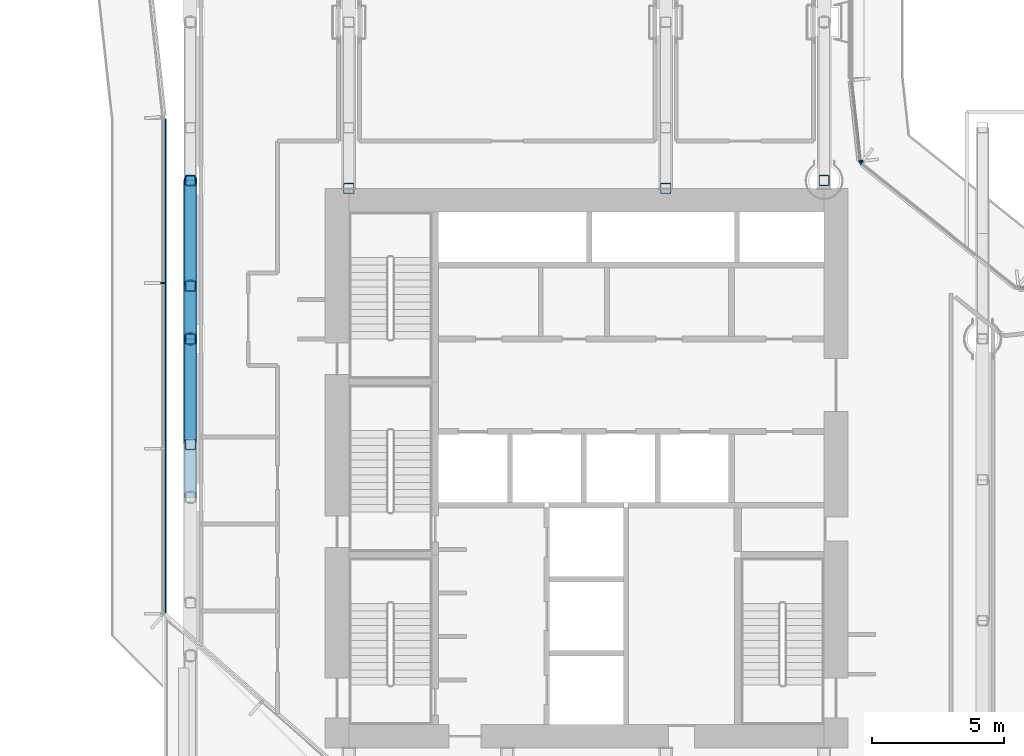
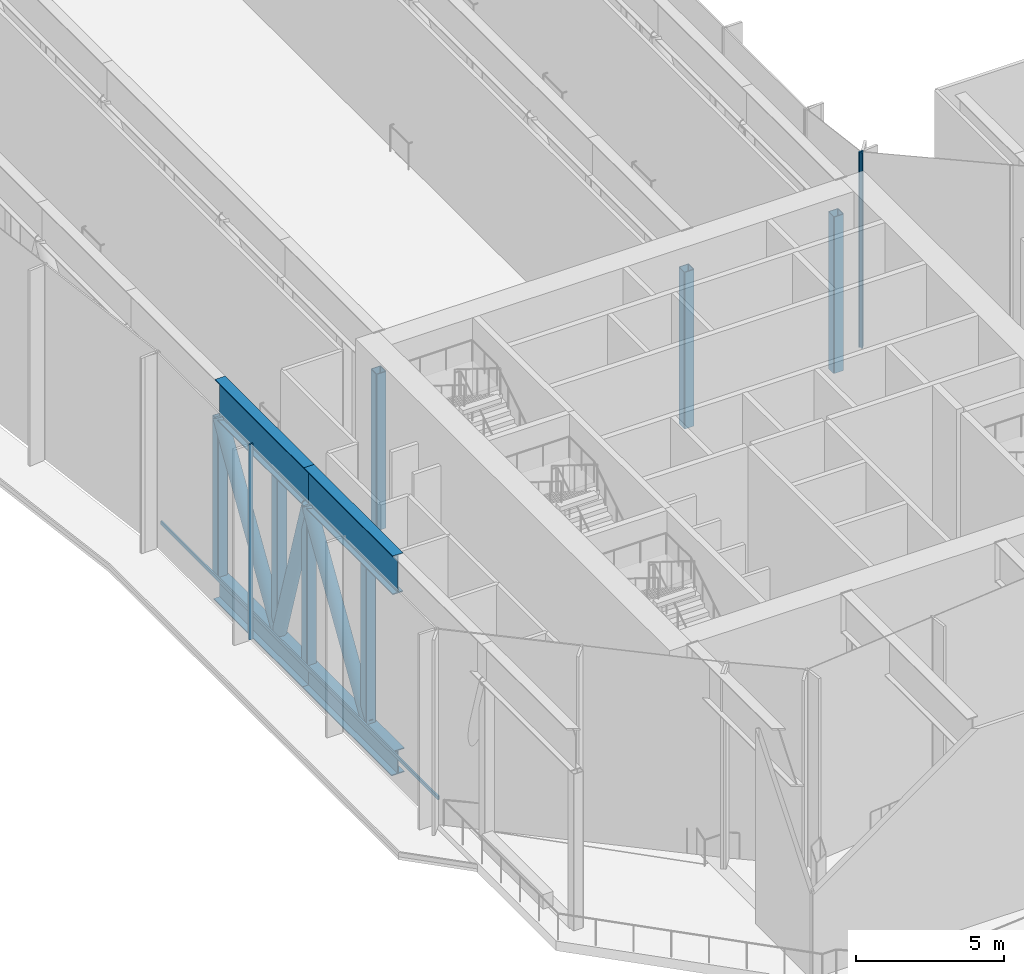
# One storey, part 2 of 25: 18 members, 3 elements without a shape of their own.
"""IFC4 building model written with IfcOpenShell, lengths in metres."""

from ifc_helpers import new_model, si_unit, direction, frame, origin, origin_2d, place, context, subcontext, project, spatial, rectangle, hollow_rectangle, hollow_circle, i_section, extrude, material, layer, layer_set, material_profile, profile_set, type_object, element, aggregate, save


model = new_model("IFC4")

# Units and contexts
model_context = context("Model", 3, precision=1e-05, world=origin(), true_north=direction((0.0, 1.0)))
body_context = subcontext(model_context, "Body", "Model", "MODEL_VIEW")
ifc_project = project(units=[si_unit("LENGTHUNIT", "METRE"), si_unit("AREAUNIT", "SQUARE_METRE"), si_unit("VOLUMEUNIT", "CUBIC_METRE"), si_unit("PLANEANGLEUNIT", "RADIAN"), si_unit("MASSUNIT", "GRAM", prefix="KILO")], contexts=[model_context])

# Site, building, storey
site_placement = place(None, origin())
site = spatial("IfcSite", under=ifc_project, at=site_placement, CompositionType="ELEMENT")
building_placement = place(site_placement, origin())
building = spatial("IfcBuilding", under=site, at=building_placement, Name="Welwitschia Terrace Campus", CompositionType="ELEMENT")
storey_placement = place(building_placement, frame((0.0, 0.0, 79.39990234375)))
storey = spatial("IfcBuildingStorey", under=building, at=storey_placement, Name="L18", CompositionType="ELEMENT", Elevation=79.39990234375)

# Curtain wall, member
ifc_material_1 = material(Name="Bronze anodised aluminium", Category="aluminium")
ifc_layer = layer(ifc_material_1, 0.159912109375)
ifc_layer_set = layer_set([ifc_layer], Name="Bronze anodised aluminium")
curtain_wall_type = type_object("IfcCurtainWallType", Name="Curtain wall CW3 commons 6000", PredefinedType="NOTDEFINED", material=ifc_layer_set)
curtain_wall_1_placement = place(storey_placement, origin())
curtain_wall_1 = element("IfcCurtainWall", 1, at=curtain_wall_1_placement, inside=storey, type_object=curtain_wall_type, Name="CW L18.4.0", PredefinedType="NOTDEFINED")
ifc_material_2 = material(Name="Bronze anodised aluminium", Category="aluminium")
ifc_material_profile_1 = material_profile(ifc_material_2, rectangle(XDim=0.159912109375, YDim=0.06005859375, at=origin_2d()))
ifc_profile_set_1 = profile_set([ifc_material_profile_1], Name="Bronze anodised aluminium")
member_type_1 = type_object("IfcMemberType", Name="Mullion 60x160", PredefinedType="MULLION", material=ifc_profile_set_1)
member_1_placement = place(storey_placement, frame((-1.050048828125, 22.119140625, 0.0), z_axis=(0.0, 0.0, 1.0), x_axis=(1.0, 0.0, 0.0)))
member_1 = element("IfcMember", 2, at=member_1_placement, type_object=member_type_1, Name="Mullion L18.4.0.1", PredefinedType="MULLION", context=body_context, shape_type="SweptSolid", body=[
    extrude(rectangle(XDim=0.159912109375, YDim=0.06005859375, at=origin_2d()), origin(), (0.0, 0.0, 1.0), 8.050048828125),
])

curtain_wall_2_placement = place(storey_placement, origin())
curtain_wall_2 = element("IfcCurtainWall", 3, at=curtain_wall_2_placement, inside=storey, type_object=curtain_wall_type, Name="CW L18.13.0", PredefinedType="NOTDEFINED")
member_2_placement = place(storey_placement, frame((25.4150390625, 26.682861328125, 0.0), z_axis=(0.0, 0.0, 1.0), x_axis=(-0.625923472184, -0.779884483093, 0.0)))
member_2 = element("IfcMember", 4, at=member_2_placement, type_object=member_type_1, Name="Mullion L18.13.0.1", PredefinedType="MULLION", context=body_context, shape_type="SweptSolid", body=[
    extrude(rectangle(XDim=0.159912109375, YDim=0.06005859375, at=origin_2d()), origin(), (0.0, 0.0, 1.0), 8.050048828125),
])
aggregate(curtain_wall_2, [member_2])

curtain_wall_3_placement = place(storey_placement, origin())
curtain_wall_3 = element("IfcCurtainWall", 5, at=curtain_wall_3_placement, inside=storey, type_object=curtain_wall_type, Name="CW L18.14.0", PredefinedType="NOTDEFINED")
member_3_placement = place(storey_placement, frame((25.388427734375, 26.7314453125, 0.0), z_axis=(0.0, 0.0, 1.0), x_axis=(-0.994056338222, -0.108866874852, 0.0)))
member_3 = element("IfcMember", 6, at=member_3_placement, type_object=member_type_1, Name="Mullion L18.14.0.0", PredefinedType="MULLION", context=body_context, shape_type="SweptSolid", body=[
    extrude(rectangle(XDim=0.159912109375, YDim=0.06005859375, at=origin_2d()), origin(), (0.0, 0.0, 1.0), 8.050048828125),
])
aggregate(curtain_wall_3, [member_3])

# Members
ifc_material_3 = material(Name="Steel S355", Category="steel")
ifc_material_profile_2 = material_profile(ifc_material_3, i_section(OverallWidth=0.5, OverallDepth=1.0, WebThickness=0.030029296875, FlangeThickness=0.0400390625, at=origin_2d()))
ifc_profile_set_2 = profile_set([ifc_material_profile_2], Name="Steel S355")
member_type_2 = type_object("IfcMemberType", Name="Transfer truss C1 bottom chord WI 1000x500x30x40", PredefinedType="CHORD", material=ifc_profile_set_2)
for number, where, z_axis, x_axis, name in (
    (7, (0.0, 14.0, -0.5), (0.0, 1.0, 0.0), (-1.0, 0.0, 0.0), "Truss bottom chord"),
    (8, (0.0, 20.0, -0.5), (0.0, 1.0, 0.0), (-1.0, 0.0, 0.0), "Truss bottom chord"),
):
    element("IfcMember", number, at=place(storey_placement, frame(where, z_axis=z_axis, x_axis=x_axis)), inside=storey, type_object=member_type_2, Name=name, PredefinedType="CHORD", context=body_context, shape_type="SweptSolid", body=[
        extrude(i_section(OverallWidth=0.5, OverallDepth=1.0, WebThickness=0.030029296875, FlangeThickness=0.0400390625, at=origin_2d()), origin(), (0.0, 0.0, 1.0), 6.0),
    ])
ifc_material_4 = material(Name="Steel S355", Category="steel")
ifc_material_profile_3 = material_profile(ifc_material_4, hollow_circle(Radius=0.25390625, WallThickness=0.02490234375, at=origin_2d()))
ifc_profile_set_3 = profile_set([ifc_material_profile_3], Name="Steel S355")
member_type_3 = type_object("IfcMemberType", Name="Transfer truss C1 diagonal CHS 508x25", PredefinedType="BRACE", material=ifc_profile_set_3)
member_4_placement = place(storey_placement, frame((0.0, 16.0, 0.0), z_axis=(0.0, 0.527023313392, 0.849850826405), x_axis=(-1.0, 0.0, 0.0)))
element("IfcMember", 9, at=member_4_placement, inside=storey, type_object=member_type_3, Name="Truss diagonal", PredefinedType="BRACE", context=body_context, shape_type="SweptSolid", body=[
    extrude(hollow_circle(Radius=0.25390625, WallThickness=0.02490234375, at=origin_2d()), origin(), (0.0, 0.0, 1.0), 7.58984375),
])
member_5_placement = place(storey_placement, frame((0.0, 22.0, 0.0), z_axis=(0.0, -0.296158139039, 0.955138920095), x_axis=(1.0, 0.0, 0.0)))
element("IfcMember", 10, at=member_5_placement, inside=storey, type_object=member_type_3, Name="Truss diagonal", PredefinedType="BRACE", context=body_context, shape_type="SweptSolid", body=[
    extrude(hollow_circle(Radius=0.25390625, WallThickness=0.02490234375, at=origin_2d()), origin(), (0.0, 0.0, 1.0), 6.753173828125),
])
member_6_placement = place(storey_placement, frame((0.0, 22.0, 0.0), z_axis=(0.0, 0.527023313392, 0.849850826405), x_axis=(-1.0, 0.0, 0.0)))
element("IfcMember", 11, at=member_6_placement, inside=storey, type_object=member_type_3, Name="Truss diagonal", PredefinedType="BRACE", context=body_context, shape_type="SweptSolid", body=[
    extrude(hollow_circle(Radius=0.25390625, WallThickness=0.02490234375, at=origin_2d()), origin(), (0.0, 0.0, 1.0), 7.58984375),
])
ifc_material_5 = material(Name="Steel S355", Category="steel")
ifc_material_profile_4 = material_profile(ifc_material_5, hollow_rectangle(XDim=0.39990234375, YDim=0.39990234375, WallThickness=0.02490234375, InnerFilletRadius=0.02490234375, OuterFilletRadius=0.03759765625, at=origin_2d()))
ifc_profile_set_4 = profile_set([ifc_material_profile_4], Name="Steel S355")
member_type_4 = type_object("IfcMemberType", Name="Transfer truss C1 post SHS 400x400x25", PredefinedType="POST", material=ifc_profile_set_4)
for number, where, z_axis, x_axis, name in (
    (12, (0.0, 16.0, 0.0), (0.0, 0.0, 1.0), (1.0, 0.0, 0.0), "Truss post"),
    (13, (0.0, 20.0, 0.0), (0.0, 0.0, 1.0), (1.0, 0.0, 0.0), "Truss post"),
    (14, (0.0, 22.0, 0.0), (0.0, 0.0, 1.0), (1.0, 0.0, 0.0), "Truss post"),
    (15, (0.0, 26.0, 0.0), (0.0, 0.0, 1.0), (1.0, 0.0, 0.0), "Truss post"),
    (16, (6.0, 25.699951171875, 0.0), (0.0, 0.0, 1.0), (1.0, 0.0, 0.0), "Truss post"),
    (17, (18.0, 25.699951171875, 0.0), (0.0, 0.0, 1.0), (1.0, 0.0, 0.0), "Truss post"),
    (18, (24.0, 26.0, 0.0), (0.0, 0.0, 1.0), (1.0, 0.0, 0.0), "Truss post"),
):
    element("IfcMember", number, at=place(storey_placement, frame(where, z_axis=z_axis, x_axis=x_axis)), inside=storey, type_object=member_type_4, Name=name, PredefinedType="POST", context=body_context, shape_type="SweptSolid", body=[
        extrude(hollow_rectangle(XDim=0.39990234375, YDim=0.39990234375, WallThickness=0.02490234375, InnerFilletRadius=0.02490234375, OuterFilletRadius=0.03759765625, at=origin_2d()), origin(), (0.0, 0.0, 1.0), 6.4501953125),
    ])
ifc_material_6 = material(Name="Steel S355", Category="steel")
ifc_material_profile_5 = material_profile(ifc_material_6, i_section(OverallWidth=0.39990234375, OverallDepth=1.60009765625, WebThickness=0.030029296875, FlangeThickness=0.0400390625, at=origin_2d()))
ifc_profile_set_5 = profile_set([ifc_material_profile_5], Name="Steel S355")
member_type_5 = type_object("IfcMemberType", Name="Transfer truss C1 top chord WI 1600x400x30x40", PredefinedType="CHORD", material=ifc_profile_set_5)
for number, where, z_axis, x_axis, name in (
    (19, (0.0, 14.0, 7.25), (0.0, 1.0, 0.0), (-1.0, 0.0, 0.0), "Truss top chord"),
    (20, (0.0, 20.0, 7.25), (0.0, 1.0, 0.0), (-1.0, 0.0, 0.0), "Truss top chord"),
):
    element("IfcMember", number, at=place(storey_placement, frame(where, z_axis=z_axis, x_axis=x_axis)), inside=storey, type_object=member_type_5, Name=name, PredefinedType="CHORD", context=body_context, shape_type="SweptSolid", body=[
        extrude(i_section(OverallWidth=0.39990234375, OverallDepth=1.60009765625, WebThickness=0.030029296875, FlangeThickness=0.0400390625, at=origin_2d()), origin(), (0.0, 0.0, 1.0), 6.0),
    ])

# Member
ifc_material_7 = material(Name="Bronze anodised aluminium", Category="aluminium")
ifc_material_profile_6 = material_profile(ifc_material_7, rectangle(XDim=0.06005859375, YDim=0.14990234375, at=origin_2d()))
ifc_profile_set_6 = profile_set([ifc_material_profile_6], Name="Bronze anodised aluminium")
member_type_6 = type_object("IfcMemberType", Name="Transom 60x150", PredefinedType="USERDEFINED", material=ifc_profile_set_6)
member_7_placement = place(storey_placement, frame((-0.93994140625, 28.3359375, 1.0), z_axis=(0.0, -1.0, 0.0), x_axis=(1.0, 0.0, 0.0)))
member_7 = element("IfcMember", 21, at=member_7_placement, type_object=member_type_6, Name="Transom L18.4.0", ObjectType="TRANSOM", PredefinedType="USERDEFINED", context=body_context, shape_type="SweptSolid", body=[
    extrude(rectangle(XDim=0.06005859375, YDim=0.14990234375, at=origin_2d()), origin(), (0.0, 0.0, 1.0), 18.7109375),
])

aggregate(curtain_wall_1, [member_1, member_7])

save(model, "model.ifc")
